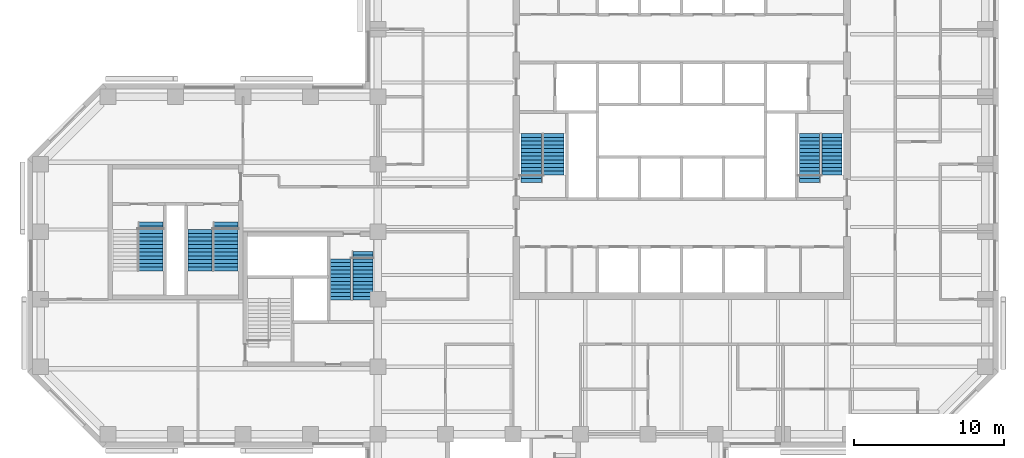
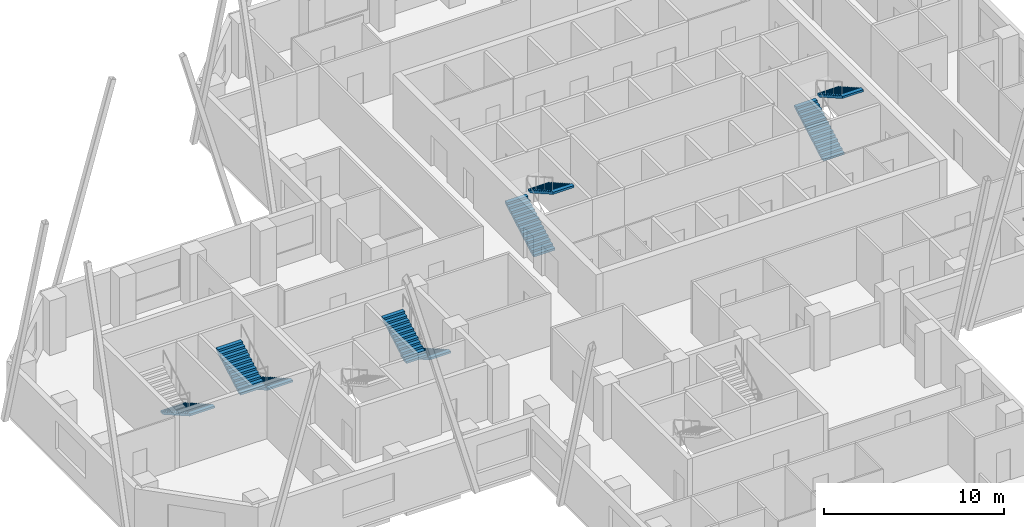
# One storey, part 10 of 11: 9 stair flights, 5 elements without a shape of their own.
"""IFC4 building model written with IfcOpenShell, lengths in metres."""

from ifc_helpers import new_model, si_unit, direction, frame, origin, place, context, subcontext, project, spatial, polyline, outline, extrude, material, type_object, element, aggregate, save


model = new_model("IFC4")

# Units and contexts
model_context = context("Model", 3, precision=1e-05, world=origin(), true_north=direction((0.0, 1.0)))
body_context = subcontext(model_context, "Body", "Model", "MODEL_VIEW")
ifc_project = project(units=[si_unit("LENGTHUNIT", "METRE"), si_unit("AREAUNIT", "SQUARE_METRE"), si_unit("VOLUMEUNIT", "CUBIC_METRE"), si_unit("PLANEANGLEUNIT", "RADIAN"), si_unit("MASSUNIT", "GRAM", prefix="KILO")], contexts=[model_context])

# Site, building, storey
site_placement = place(None, origin())
site = spatial("IfcSite", under=ifc_project, at=site_placement, CompositionType="ELEMENT")
building_placement = place(site_placement, origin())
building = spatial("IfcBuilding", under=site, at=building_placement, Name="Quoin Convention Tower", CompositionType="ELEMENT")
storey_placement = place(building_placement, frame((0.0, 0.0, 127.0)))
storey = spatial("IfcBuildingStorey", under=building, at=storey_placement, Name="L33", CompositionType="ELEMENT", Elevation=127.0)

# Stair, stair flights
ifc_material = material(Name="Concrete C40", Category="concrete")
stair_type_1 = type_object("IfcStairType", Name="Exit stair two-flight 1350", PredefinedType="HALF_TURN_STAIR", material=ifc_material)
stair_1_placement = place(storey_placement, origin())
stair_1 = element("IfcStair", 1, at=stair_1_placement, inside=storey, type_object=stair_type_1, Name="SD1 L33", PredefinedType="HALF_TURN_STAIR")
stair_flight_type_1 = type_object("IfcStairFlightType", Name="Stair flight 1350", PredefinedType="STRAIGHT", material=ifc_material)
stair_flight_1_placement = place(storey_placement, frame((46.22509765625, 57.300048828125, 0.0), z_axis=(0.0, 0.0, 1.0), x_axis=(0.0, 1.0, 0.0)))
stair_flight_1 = element("IfcStairFlight", 2, at=stair_flight_1_placement, type_object=stair_flight_type_1, Name="ST1 flight 1", NumberOfRisers=14, NumberOfTreads=13, PredefinedType="STRAIGHT", RiserHeight=0.142307692, TreadLength=0.25, context=body_context, shape_type="SweptSolid", body=[
    extrude(outline(polyline([(0.0, 0.0), (0.0, 0.142333984375), (0.25, 0.142333984375), (0.25, 0.28466796875), (0.5, 0.28466796875), (0.5, 0.427001953125), (0.75, 0.427001953125), (0.75, 0.5693359375), (1.0, 0.5693359375), (1.0, 0.71142578125), (1.25, 0.71142578125), (1.25, 0.853759765625), (1.5, 0.853759765625), (1.5, 0.99609375), (1.75, 0.99609375), (1.75, 1.138427734375), (2.0, 1.138427734375), (2.0, 1.28076171875), (2.25, 1.28076171875), (2.25, 1.423095703125), (2.5, 1.423095703125), (2.5, 1.5654296875), (2.75, 1.5654296875), (2.75, 1.707763671875), (3.0, 1.707763671875), (3.0, 1.85009765625), (3.25, 1.85009765625), (3.25, 1.9921875), (3.25, 1.711669921875), (0.242919921875, 0.0), (0.0, 0.0)])), frame((0.0, 0.675048828125, 0.0), z_axis=(0.0, -1.0, 0.0), x_axis=(1.0, 0.0, 0.0)), (0.0, 0.0, 1.0), 1.35009765625),
])
stair_flight_2_placement = place(storey_placement, frame((47.72509765625, 60.550048828125, 1.9921875), z_axis=(0.0, 0.0, 1.0), x_axis=(0.0, -1.0, 0.0)))
stair_flight_2 = element("IfcStairFlight", 3, at=stair_flight_2_placement, type_object=stair_flight_type_1, Name="ST1 flight 2", NumberOfRisers=12, NumberOfTreads=11, PredefinedType="STRAIGHT", RiserHeight=0.142307692, TreadLength=0.25, context=body_context, shape_type="SweptSolid", body=[
    extrude(outline(polyline([(0.0, 0.0), (0.0, 0.142333984375), (0.25, 0.142333984375), (0.25, 0.28466796875), (0.5, 0.28466796875), (0.5, 0.427001953125), (0.75, 0.427001953125), (0.75, 0.5693359375), (1.0, 0.5693359375), (1.0, 0.71142578125), (1.25, 0.71142578125), (1.25, 0.853759765625), (1.5, 0.853759765625), (1.5, 0.99609375), (1.75, 0.99609375), (1.75, 1.138427734375), (2.0, 1.138427734375), (2.0, 1.28076171875), (2.25, 1.28076171875), (2.25, 1.423095703125), (2.5, 1.423095703125), (2.5, 1.5654296875), (2.75, 1.5654296875), (2.75, 1.707763671875), (2.75, 1.42724609375), (0.242919921875, 0.0), (0.0, 0.0)])), frame((0.0, 0.675048828125, 0.0), z_axis=(0.0, -1.0, 0.0), x_axis=(1.0, 0.0, 0.0)), (0.0, 0.0, 1.0), 1.35009765625),
])
aggregate(stair_1, [stair_flight_1, stair_flight_2])

stair_2_placement = place(storey_placement, origin())
stair_2 = element("IfcStair", 4, at=stair_2_placement, inside=storey, type_object=stair_type_1, Name="SD2 L33", PredefinedType="HALF_TURN_STAIR")
stair_flight_3_placement = place(storey_placement, frame((64.77490234375, 57.300048828125, 0.0), z_axis=(0.0, 0.0, 1.0), x_axis=(0.0, 1.0, 0.0)))
stair_flight_3 = element("IfcStairFlight", 5, at=stair_flight_3_placement, type_object=stair_flight_type_1, Name="ST2 flight 1", NumberOfRisers=14, NumberOfTreads=13, PredefinedType="STRAIGHT", RiserHeight=0.142307692, TreadLength=0.25, context=body_context, shape_type="SweptSolid", body=[
    extrude(outline(polyline([(0.0, 0.0), (0.0, 0.142333984375), (0.25, 0.142333984375), (0.25, 0.28466796875), (0.5, 0.28466796875), (0.5, 0.427001953125), (0.75, 0.427001953125), (0.75, 0.5693359375), (1.0, 0.5693359375), (1.0, 0.71142578125), (1.25, 0.71142578125), (1.25, 0.853759765625), (1.5, 0.853759765625), (1.5, 0.99609375), (1.75, 0.99609375), (1.75, 1.138427734375), (2.0, 1.138427734375), (2.0, 1.28076171875), (2.25, 1.28076171875), (2.25, 1.423095703125), (2.5, 1.423095703125), (2.5, 1.5654296875), (2.75, 1.5654296875), (2.75, 1.707763671875), (3.0, 1.707763671875), (3.0, 1.85009765625), (3.25, 1.85009765625), (3.25, 1.9921875), (3.25, 1.711669921875), (0.242919921875, 0.0), (0.0, 0.0)])), frame((0.0, 0.675048828125, 0.0), z_axis=(0.0, -1.0, 0.0), x_axis=(1.0, 0.0, 0.0)), (0.0, 0.0, 1.0), 1.35009765625),
])
stair_flight_4_placement = place(storey_placement, frame((66.27490234375, 60.550048828125, 1.9921875), z_axis=(0.0, 0.0, 1.0), x_axis=(0.0, -1.0, 0.0)))
stair_flight_4 = element("IfcStairFlight", 6, at=stair_flight_4_placement, type_object=stair_flight_type_1, Name="ST2 flight 2", NumberOfRisers=12, NumberOfTreads=11, PredefinedType="STRAIGHT", RiserHeight=0.142307692, TreadLength=0.25, context=body_context, shape_type="SweptSolid", body=[
    extrude(outline(polyline([(0.0, 0.0), (0.0, 0.142333984375), (0.25, 0.142333984375), (0.25, 0.28466796875), (0.5, 0.28466796875), (0.5, 0.427001953125), (0.75, 0.427001953125), (0.75, 0.5693359375), (1.0, 0.5693359375), (1.0, 0.71142578125), (1.25, 0.71142578125), (1.25, 0.853759765625), (1.5, 0.853759765625), (1.5, 0.99609375), (1.75, 0.99609375), (1.75, 1.138427734375), (2.0, 1.138427734375), (2.0, 1.28076171875), (2.25, 1.28076171875), (2.25, 1.423095703125), (2.5, 1.423095703125), (2.5, 1.5654296875), (2.75, 1.5654296875), (2.75, 1.707763671875), (2.75, 1.42724609375), (0.242919921875, 0.0), (0.0, 0.0)])), frame((0.0, 0.675048828125, 0.0), z_axis=(0.0, -1.0, 0.0), x_axis=(1.0, 0.0, 0.0)), (0.0, 0.0, 1.0), 1.35009765625),
])
aggregate(stair_2, [stair_flight_3, stair_flight_4])

stair_3_placement = place(storey_placement, origin())
stair_3 = element("IfcStair", 7, at=stair_3_placement, inside=storey, type_object=stair_type_1, Name="SD4 L33", PredefinedType="HALF_TURN_STAIR")
stair_flight_5_placement = place(storey_placement, frame((35.0, 52.699951171875, 0.0), z_axis=(0.0, 0.0, 1.0), x_axis=(0.0, -1.0, 0.0)))
stair_flight_5 = element("IfcStairFlight", 8, at=stair_flight_5_placement, type_object=stair_flight_type_1, Name="ST4 flight 1", NumberOfRisers=14, NumberOfTreads=13, PredefinedType="STRAIGHT", RiserHeight=0.142307692, TreadLength=0.25, context=body_context, shape_type="SweptSolid", body=[
    extrude(outline(polyline([(0.0, 0.0), (0.0, 0.142333984375), (0.25, 0.142333984375), (0.25, 0.28466796875), (0.5, 0.28466796875), (0.5, 0.427001953125), (0.75, 0.427001953125), (0.75, 0.5693359375), (1.0, 0.5693359375), (1.0, 0.71142578125), (1.25, 0.71142578125), (1.25, 0.853759765625), (1.5, 0.853759765625), (1.5, 0.99609375), (1.75, 0.99609375), (1.75, 1.138427734375), (2.0, 1.138427734375), (2.0, 1.28076171875), (2.25, 1.28076171875), (2.25, 1.423095703125), (2.5, 1.423095703125), (2.5, 1.5654296875), (2.75, 1.5654296875), (2.75, 1.707763671875), (3.0, 1.707763671875), (3.0, 1.85009765625), (3.25, 1.85009765625), (3.25, 1.9921875), (3.25, 1.711669921875), (0.242919921875, 0.0), (0.0, 0.0)])), frame((0.0, 0.675048828125, 0.0), z_axis=(0.0, -1.0, 0.0), x_axis=(1.0, 0.0, 0.0)), (0.0, 0.0, 1.0), 1.35009765625),
])
stair_flight_6_placement = place(storey_placement, frame((33.5, 49.449951171875, 1.9921875), z_axis=(0.0, 0.0, 1.0), x_axis=(0.0, 1.0, 0.0)))
stair_flight_6 = element("IfcStairFlight", 9, at=stair_flight_6_placement, type_object=stair_flight_type_1, Name="ST4 flight 2", NumberOfRisers=12, NumberOfTreads=11, PredefinedType="STRAIGHT", RiserHeight=0.142307692, TreadLength=0.25, context=body_context, shape_type="SweptSolid", body=[
    extrude(outline(polyline([(0.0, 0.0), (0.0, 0.142333984375), (0.25, 0.142333984375), (0.25, 0.28466796875), (0.5, 0.28466796875), (0.5, 0.427001953125), (0.75, 0.427001953125), (0.75, 0.5693359375), (1.0, 0.5693359375), (1.0, 0.71142578125), (1.25, 0.71142578125), (1.25, 0.853759765625), (1.5, 0.853759765625), (1.5, 0.99609375), (1.75, 0.99609375), (1.75, 1.138427734375), (2.0, 1.138427734375), (2.0, 1.28076171875), (2.25, 1.28076171875), (2.25, 1.423095703125), (2.5, 1.423095703125), (2.5, 1.5654296875), (2.75, 1.5654296875), (2.75, 1.707763671875), (2.75, 1.42724609375), (0.242919921875, 0.0), (0.0, 0.0)])), frame((0.0, 0.675048828125, 0.0), z_axis=(0.0, -1.0, 0.0), x_axis=(1.0, 0.0, 0.0)), (0.0, 0.0, 1.0), 1.35009765625),
])
aggregate(stair_3, [stair_flight_5, stair_flight_6])

# Stair, stair flight
stair_type_2 = type_object("IfcStairType", Name="Exit stair two-flight 1600", PredefinedType="HALF_TURN_STAIR", material=ifc_material)
stair_4_placement = place(storey_placement, origin())
stair_4 = element("IfcStair", 10, at=stair_4_placement, inside=storey, type_object=stair_type_2, Name="SD11 L33", PredefinedType="HALF_TURN_STAIR")
stair_flight_type_2 = type_object("IfcStairFlightType", Name="Stair flight 1600", PredefinedType="STRAIGHT", material=ifc_material)
stair_flight_7_placement = place(storey_placement, frame((20.875, 54.64990234375, 0.0), z_axis=(0.0, 0.0, 1.0), x_axis=(0.0, -1.0, 0.0)))
stair_flight_7 = element("IfcStairFlight", 11, at=stair_flight_7_placement, type_object=stair_flight_type_2, Name="ST11 flight 1", NumberOfRisers=14, NumberOfTreads=13, PredefinedType="STRAIGHT", RiserHeight=0.142307692, TreadLength=0.25, context=body_context, shape_type="SweptSolid", body=[
    extrude(outline(polyline([(0.0, 0.0), (0.0, 0.142333984375), (0.25, 0.142333984375), (0.25, 0.28466796875), (0.5, 0.28466796875), (0.5, 0.427001953125), (0.75, 0.427001953125), (0.75, 0.5693359375), (1.0, 0.5693359375), (1.0, 0.71142578125), (1.25, 0.71142578125), (1.25, 0.853759765625), (1.5, 0.853759765625), (1.5, 0.99609375), (1.75, 0.99609375), (1.75, 1.138427734375), (2.0, 1.138427734375), (2.0, 1.28076171875), (2.25, 1.28076171875), (2.25, 1.423095703125), (2.5, 1.423095703125), (2.5, 1.5654296875), (2.75, 1.5654296875), (2.75, 1.707763671875), (3.0, 1.707763671875), (3.0, 1.85009765625), (3.25, 1.85009765625), (3.25, 1.9921875), (3.25, 1.711669921875), (0.242919921875, 0.0), (0.0, 0.0)])), frame((0.0, 0.800048828125, 0.0), z_axis=(0.0, -1.0, 0.0), x_axis=(1.0, 0.0, 0.0)), (0.0, 0.0, 1.0), 1.60009765625),
])
aggregate(stair_4, [stair_flight_7])

# Stair, stair flights
stair_5_placement = place(storey_placement, origin())
stair_5 = element("IfcStair", 12, at=stair_5_placement, inside=storey, type_object=stair_type_2, Name="SD12 L33", PredefinedType="HALF_TURN_STAIR")
stair_flight_8_placement = place(storey_placement, frame((25.875, 54.64990234375, 0.0), z_axis=(0.0, 0.0, 1.0), x_axis=(0.0, -1.0, 0.0)))
stair_flight_8 = element("IfcStairFlight", 13, at=stair_flight_8_placement, type_object=stair_flight_type_2, Name="ST12 flight 1", NumberOfRisers=14, NumberOfTreads=13, PredefinedType="STRAIGHT", RiserHeight=0.142307692, TreadLength=0.25, context=body_context, shape_type="SweptSolid", body=[
    extrude(outline(polyline([(0.0, 0.0), (0.0, 0.142333984375), (0.25, 0.142333984375), (0.25, 0.28466796875), (0.5, 0.28466796875), (0.5, 0.427001953125), (0.75, 0.427001953125), (0.75, 0.5693359375), (1.0, 0.5693359375), (1.0, 0.71142578125), (1.25, 0.71142578125), (1.25, 0.853759765625), (1.5, 0.853759765625), (1.5, 0.99609375), (1.75, 0.99609375), (1.75, 1.138427734375), (2.0, 1.138427734375), (2.0, 1.28076171875), (2.25, 1.28076171875), (2.25, 1.423095703125), (2.5, 1.423095703125), (2.5, 1.5654296875), (2.75, 1.5654296875), (2.75, 1.707763671875), (3.0, 1.707763671875), (3.0, 1.85009765625), (3.25, 1.85009765625), (3.25, 1.9921875), (3.25, 1.711669921875), (0.242919921875, 0.0), (0.0, 0.0)])), frame((0.0, 0.800048828125, 0.0), z_axis=(0.0, -1.0, 0.0), x_axis=(1.0, 0.0, 0.0)), (0.0, 0.0, 1.0), 1.60009765625),
])
stair_flight_9_placement = place(storey_placement, frame((24.125, 51.39990234375, 1.9921875), z_axis=(0.0, 0.0, 1.0), x_axis=(0.0, 1.0, 0.0)))
stair_flight_9 = element("IfcStairFlight", 14, at=stair_flight_9_placement, type_object=stair_flight_type_2, Name="ST12 flight 2", NumberOfRisers=12, NumberOfTreads=11, PredefinedType="STRAIGHT", RiserHeight=0.142307692, TreadLength=0.25, context=body_context, shape_type="SweptSolid", body=[
    extrude(outline(polyline([(0.0, 0.0), (0.0, 0.142333984375), (0.25, 0.142333984375), (0.25, 0.28466796875), (0.5, 0.28466796875), (0.5, 0.427001953125), (0.75, 0.427001953125), (0.75, 0.5693359375), (1.0, 0.5693359375), (1.0, 0.71142578125), (1.25, 0.71142578125), (1.25, 0.853759765625), (1.5, 0.853759765625), (1.5, 0.99609375), (1.75, 0.99609375), (1.75, 1.138427734375), (2.0, 1.138427734375), (2.0, 1.28076171875), (2.25, 1.28076171875), (2.25, 1.423095703125), (2.5, 1.423095703125), (2.5, 1.5654296875), (2.75, 1.5654296875), (2.75, 1.707763671875), (2.75, 1.42724609375), (0.242919921875, 0.0), (0.0, 0.0)])), frame((0.0, 0.800048828125, 0.0), z_axis=(0.0, -1.0, 0.0), x_axis=(1.0, 0.0, 0.0)), (0.0, 0.0, 1.0), 1.60009765625),
])
aggregate(stair_5, [stair_flight_8, stair_flight_9])

save(model, "model.ifc")
